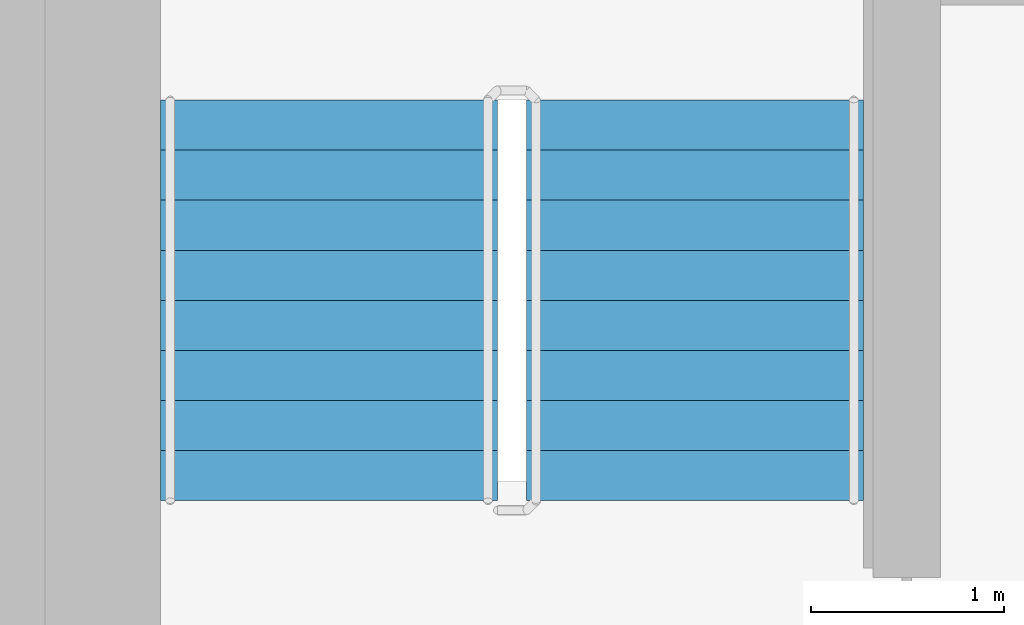
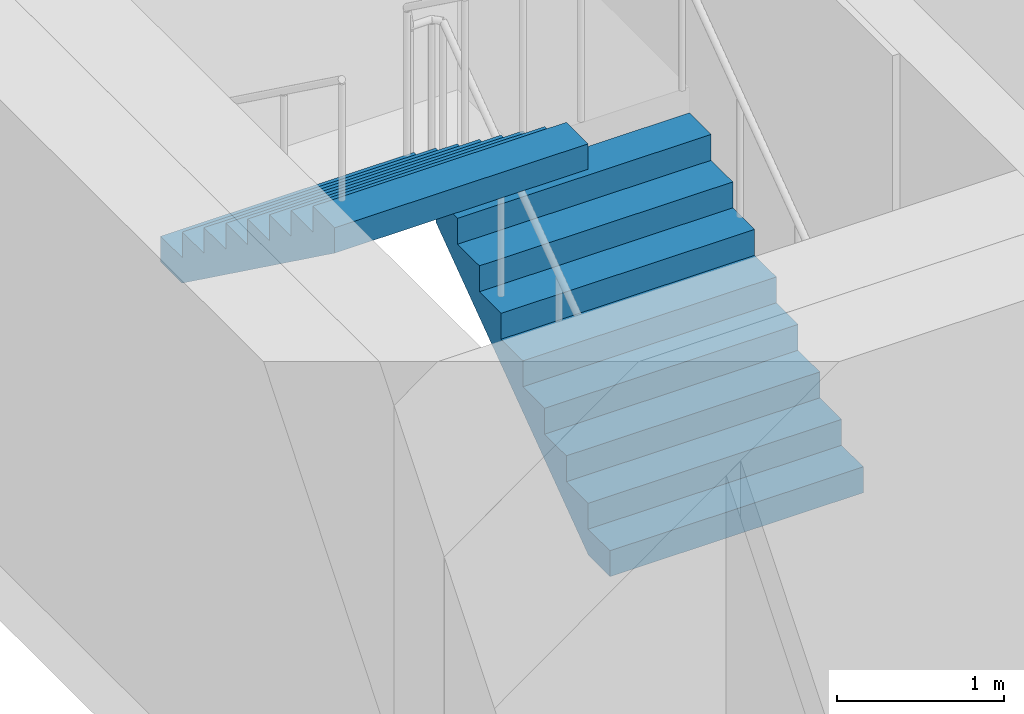
# One storey, part 16 of 19: 2 stair flights, 1 element without a shape of its own.
"""IFC4 building model written with IfcOpenShell, lengths in metres."""

import ifcopenshell
import ifcopenshell.guid

model = None  # the IFC model being written
_history = None  # IfcOwnerHistory: only IFC2X3 demands one
_inside = {}  # id of a spatial element -> (the spatial element, [elements in it])
_under = {}  # id of a project, library or spatial element -> (it, [spatial elements below it])
_declared = {}  # id of a project -> (the project, [libraries it declares])
_typed = {}  # id of a type object -> (the type object, [elements of that type])
_made_of = {}  # id of a material, layer set ... -> (it, [elements and type objects made of it])


def new_model(schema):
    """Start an empty IFC model of exactly this schema.

    Asked for "IFC4X3", IfcOpenShell would pick the latest addendum, in which some entities
    have other attributes; the version numbers below select the first issue.
    IFC2X3 requires an IfcOwnerHistory on every rooted entity: one is made here for all.
    """
    global model, _history
    if schema == "IFC4X3":
        model = ifcopenshell.file(schema_version=(4, 3, 0, 0))
    else:
        model = ifcopenshell.file(schema=schema)
    _inside.clear()
    _under.clear()
    _declared.clear()
    _typed.clear()
    _made_of.clear()
    _history = None
    if model.schema == "IFC2X3":
        org = make("IfcOrganization", Name="unknown")
        user = make(
            "IfcPersonAndOrganization",
            ThePerson=make("IfcPerson", FamilyName="unknown"),
            TheOrganization=org,
        )
        app = make(
            "IfcApplication",
            ApplicationDeveloper=org,
            Version="unknown",
            ApplicationFullName="unknown",
            ApplicationIdentifier="unknown",
        )
        _history = make(
            "IfcOwnerHistory",
            OwningUser=user,
            OwningApplication=app,
            ChangeAction="ADDED",
            CreationDate=0,
        )
    return model


def make(cls, **values):
    """One entity of the class cls with the attributes given. An attribute that is None is left unset."""
    return model.create_entity(
        cls, **{name: value for name, value in values.items() if value is not None}
    )


def rooted(cls, **values):
    """An entity with a GlobalId (a new one), such as an element, a storey or a relation."""
    return make(cls, GlobalId=ifcopenshell.guid.new(), OwnerHistory=_history, **values)


def si_unit(unit_type, name, prefix=None):
    """IfcSIUnit, for example si_unit("LENGTHUNIT", "METRE", prefix="MILLI")."""
    return make("IfcSIUnit", UnitType=unit_type, Prefix=prefix, Name=name)


def assignment(units):
    """IfcUnitAssignment: the units of a project."""
    return None if units is None else make("IfcUnitAssignment", Units=units)


def point(xyz):
    """IfcCartesianPoint."""
    return None if xyz is None else make("IfcCartesianPoint", Coordinates=xyz)


def direction(xyz):
    """IfcDirection."""
    return None if xyz is None else make("IfcDirection", DirectionRatios=xyz)


def frame(location, z_axis=None, x_axis=None):
    """IfcAxis2Placement3D, a coordinate frame: its origin and axes. An axis left out is left unset."""
    return make(
        "IfcAxis2Placement3D",
        Location=point(location),
        Axis=direction(z_axis),
        RefDirection=direction(x_axis),
    )


def origin():
    """The frame at (0, 0, 0) with its axes left unset."""
    return frame((0.0, 0.0, 0.0))


def place(relative_to, where):
    """IfcLocalPlacement: puts the frame where relative to a parent placement (None: the world)."""
    return make(
        "IfcLocalPlacement", PlacementRelTo=relative_to, RelativePlacement=where
    )


def context(
    kind, dimensions, precision=None, world=None, true_north=None, identifier=None
):
    """IfcGeometricRepresentationContext, for example the 3D "Model" context."""
    return make(
        "IfcGeometricRepresentationContext",
        ContextIdentifier=identifier,
        ContextType=kind,
        CoordinateSpaceDimension=dimensions,
        Precision=precision,
        WorldCoordinateSystem=world,
        TrueNorth=true_north,
    )


def subcontext(parent, identifier, kind, view, scale=None):
    """IfcGeometricRepresentationSubContext, for example "Body" below "Model"."""
    return make(
        "IfcGeometricRepresentationSubContext",
        ContextIdentifier=identifier,
        ContextType=kind,
        ParentContext=parent,
        TargetScale=scale,
        TargetView=view,
    )


def project(units=None, contexts=None):
    """IfcProject with its units and contexts."""
    return rooted(
        "IfcProject",
        Name="project",
        RepresentationContexts=contexts,
        UnitsInContext=assignment(units),
    )


def spatial(cls, under=None, at=None, **own):
    """A site, building, storey or space (cls), placed at a placement, below another one or the project."""
    s = rooted(cls, ObjectPlacement=at, **own)
    if under is not None:
        _under.setdefault(under.id(), (under, []))[1].append(s)
    return s


def faces_of(points, faces, orient=None, outer=None):
    """IfcFace entities. A face is a list of loops; a loop is a list of indices into points, from 0.

    orient and outer hold one flag for each loop. By default every Orientation is true, the
    first loop of a face is its IfcFaceOuterBound and the others are IfcFaceBound.
    """
    made = []
    for i, loops in enumerate(faces):
        bounds = []
        for j, loop in enumerate(loops):
            is_outer = j == 0 if outer is None else outer[i][j]
            bounds.append(
                make(
                    "IfcFaceOuterBound" if is_outer else "IfcFaceBound",
                    Bound=make("IfcPolyLoop", Polygon=[points[k] for k in loop]),
                    Orientation=True if orient is None else orient[i][j],
                )
            )
        made.append(make("IfcFace", Bounds=bounds))
    return made


def faceted_brep(points, faces, orient=None, outer=None, voids=None):
    """IfcFacetedBrep: a solid bounded by flat faces; with voids (closed shells), ...WithVoids."""
    shared = [point(p) for p in points]
    hull = make("IfcClosedShell", CfsFaces=faces_of(shared, faces, orient, outer))
    if voids is None:
        return make("IfcFacetedBrep", Outer=hull)
    return make(
        "IfcFacetedBrepWithVoids",
        Outer=hull,
        Voids=[
            make(cls, CfsFaces=faces_of(shared, fs, o, b)) for cls, fs, o, b in voids
        ],
    )


def shape(context_of_items, identifier, shape_type, items):
    """IfcShapeRepresentation: the items that make up one representation, for example the "Body"."""
    return make(
        "IfcShapeRepresentation",
        ContextOfItems=context_of_items,
        RepresentationIdentifier=identifier,
        RepresentationType=shape_type,
        Items=items,
    )


def material(Name=None, Category=None):
    """IfcMaterial."""
    return make("IfcMaterial", Name=Name, Category=Category)


def made_of(thing, what):
    """Note that an element or type object is made of a material, layer set ...; save() writes the relation."""
    if what is not None:
        _made_of.setdefault(what.id(), (what, []))[1].append(thing)
    return thing


def type_object(cls, material=None, **own):
    """A type object (cls), such as IfcWallType, which elements share."""
    return made_of(rooted(cls, **own), material)


def element(
    cls,
    number,
    at=None,
    inside=None,
    cuts=None,
    type_object=None,
    material=None,
    context=None,
    identifier="Body",
    shape_type=None,
    held_by="IfcProductDefinitionShape",
    body=None,
    shapes=None,
    **own,
):
    """One element of the class cls, such as IfcWall. Its Tag is "e" and its number.

    at: its placement. inside: the storey or other place that contains it. cuts: it is an
    opening in that element (IfcRelVoidsElement). A single representation is given by context,
    identifier, shape_type and body (its items); several are given by shapes. held_by: the class
    of the entity that holds the representations. save() writes the other relations.
    """
    e = rooted(cls, Tag="e%d" % number, ObjectPlacement=at, **own)
    if body is not None:
        shapes = [shape(context, identifier, shape_type, body)]
    if shapes is not None:
        e.Representation = make(held_by, Representations=shapes)
    if inside is not None:
        _inside.setdefault(inside.id(), (inside, []))[1].append(e)
    if cuts is not None:
        rooted(
            "IfcRelVoidsElement", RelatingBuildingElement=cuts, RelatedOpeningElement=e
        )
    if type_object is not None:
        _typed.setdefault(type_object.id(), (type_object, []))[1].append(e)
    return made_of(e, material)


def aggregate(whole, parts):
    """IfcRelAggregates: a whole, such as a stair, and the parts it consists of."""
    return rooted("IfcRelAggregates", RelatingObject=whole, RelatedObjects=parts)


def save(model, path):
    """Write the relations noted so far, then the file.

    IfcRelAggregates (storeys below a building ...), IfcRelContainedInSpatialStructure (elements
    in a storey), IfcRelDefinesByType, IfcRelAssociatesMaterial and IfcRelDeclares: one each for
    every whole, place, type object, material and project.
    """
    for whole, parts in _under.values():
        aggregate(whole, parts)
    for where, things in _inside.values():
        rooted(
            "IfcRelContainedInSpatialStructure",
            RelatedElements=things,
            RelatingStructure=where,
        )
    for kind, things in _typed.values():
        rooted("IfcRelDefinesByType", RelatedObjects=things, RelatingType=kind)
    for what, things in _made_of.values():
        rooted("IfcRelAssociatesMaterial", RelatedObjects=things, RelatingMaterial=what)
    for by, libraries in _declared.values():
        rooted("IfcRelDeclares", RelatingContext=by, RelatedDefinitions=libraries)
    model.write(path)


model = new_model("IFC4")

# Units and contexts
model_context = context("Model", 3, precision=1e-05, world=origin(), true_north=direction((0.0, 1.0)))
body_context = subcontext(model_context, "Body", "Model", "MODEL_VIEW")
ifc_project = project(units=[si_unit("LENGTHUNIT", "METRE"), si_unit("AREAUNIT", "SQUARE_METRE"), si_unit("VOLUMEUNIT", "CUBIC_METRE"), si_unit("PLANEANGLEUNIT", "RADIAN"), si_unit("MASSUNIT", "GRAM", prefix="KILO")], contexts=[model_context])

# Site, building, storey
site_placement = place(None, origin())
site = spatial("IfcSite", under=ifc_project, at=site_placement, CompositionType="ELEMENT")
building_placement = place(site_placement, origin())
building = spatial("IfcBuilding", under=site, at=building_placement, Name="Ipe Terrace Towers", CompositionType="ELEMENT")
storey_placement = place(building_placement, frame((0.0, 0.0, 189.199951171875)))
storey = spatial("IfcBuildingStorey", under=building, at=storey_placement, Name="L52", CompositionType="ELEMENT", Elevation=189.199951171875)

# Stair, stair flights
ifc_material_1 = material(Name="Concrete C30/37", Category="concrete")
stair_type = type_object("IfcStairType", Name="Protected exit stair", PredefinedType="HALF_TURN_STAIR", material=ifc_material_1)
stair_placement = place(storey_placement, origin())
stair = element("IfcStair", 1, at=stair_placement, inside=storey, type_object=stair_type, Name="L52 Exit stair T2-C1", PredefinedType="HALF_TURN_STAIR")
ifc_material_2 = material(Name="Concrete C30/37", Category="concrete")
stair_flight_type = type_object("IfcStairFlightType", Name="Exit stair flight 1750", PredefinedType="STRAIGHT", material=ifc_material_2)
stair_flight_1_placement = place(storey_placement, frame((33.22509765625, 9.699951171875, 0.0), z_axis=(0.0, 0.0, 1.0), x_axis=(0.0, 1.0, 0.0)))
stair_flight_1 = element("IfcStairFlight", 2, at=stair_flight_1_placement, type_object=stair_flight_type, Name="T2-ST1 flight 1", NumberOfRisers=9, NumberOfTreads=8, PredefinedType="STRAIGHT", RiserHeight=0.188888889, TreadLength=0.26, context=body_context, shape_type="Brep", body=[
    faceted_brep([(0.255126953125, -0.875, 0.0), (2.080078125, -0.875, 1.325927734375), (2.080078125, -0.875, 1.51123046875), (1.820068359375, -0.875, 1.51123046875), (1.820068359375, -0.875, 1.322265625), (1.56005859375, -0.875, 1.322265625), (1.56005859375, -0.875, 1.13330078125), (1.300048828125, -0.875, 1.13330078125), (1.300048828125, -0.875, 0.9443359375), (1.0400390625, -0.875, 0.9443359375), (1.0400390625, -0.875, 0.755615234375), (0.780029296875, -0.875, 0.755615234375), (0.780029296875, -0.875, 0.566650390625), (0.52001953125, -0.875, 0.566650390625), (0.52001953125, -0.875, 0.377685546875), (0.260009765625, -0.875, 0.377685546875), (0.260009765625, -0.875, 0.18896484375), (0.0, -0.875, 0.18896484375), (0.0, -0.875, 0.0), (0.0, 0.875, 0.0), (0.0, 0.875, 0.18896484375), (0.260009765625, 0.875, 0.18896484375), (0.260009765625, 0.875, 0.377685546875), (0.52001953125, 0.875, 0.377685546875), (0.52001953125, 0.875, 0.566650390625), (0.780029296875, 0.875, 0.566650390625), (0.780029296875, 0.875, 0.755615234375), (1.0400390625, 0.875, 0.755615234375), (1.0400390625, 0.875, 0.9443359375), (1.300048828125, 0.875, 0.9443359375), (1.300048828125, 0.875, 1.13330078125), (1.56005859375, 0.875, 1.13330078125), (1.56005859375, 0.875, 1.322265625), (1.820068359375, 0.875, 1.322265625), (1.820068359375, 0.875, 1.51123046875), (2.080078125, 0.875, 1.51123046875), (2.080078125, 0.875, 1.325927734375), (0.255126953125, 0.875, 0.0), (0.0, -0.300048828125, 0.18896484375), (0.0, -0.1201171875, 0.18896484375), (0.0, -0.06005859375, 0.18896484375), (0.0, -0.030029296875, 0.18896484375), (0.0, -0.010009765625, 0.18896484375), (0.0, 0.0, 0.18896484375), (0.0, 0.010009765625, 0.18896484375), (0.0, 0.030029296875, 0.18896484375), (0.0, 0.06005859375, 0.18896484375), (0.0, 0.1201171875, 0.18896484375), (0.0, 0.300048828125, 0.18896484375), (0.0, 0.300048828125, 0.0), (0.0, 0.1201171875, 0.0), (0.0, 0.06005859375, 0.0), (0.0, 0.030029296875, 0.0), (0.0, 0.010009765625, 0.0), (0.0, 0.0, 0.0), (0.0, -0.010009765625, 0.0), (0.0, -0.030029296875, 0.0), (0.0, -0.06005859375, 0.0), (0.0, -0.1201171875, 0.0), (0.0, -0.300048828125, 0.0), (0.260009765625, -0.300048828125, 0.18896484375), (0.260009765625, -0.1201171875, 0.18896484375), (0.260009765625, -0.06005859375, 0.18896484375), (0.260009765625, -0.030029296875, 0.18896484375), (0.260009765625, -0.010009765625, 0.18896484375), (0.260009765625, 0.0, 0.18896484375), (0.260009765625, 0.010009765625, 0.18896484375), (0.260009765625, 0.030029296875, 0.18896484375), (0.260009765625, 0.06005859375, 0.18896484375), (0.260009765625, 0.1201171875, 0.18896484375), (0.260009765625, 0.300048828125, 0.18896484375), (0.260009765625, -0.300048828125, 0.377685546875), (0.260009765625, -0.1201171875, 0.377685546875), (0.260009765625, -0.06005859375, 0.377685546875), (0.260009765625, -0.030029296875, 0.377685546875), (0.260009765625, -0.010009765625, 0.377685546875), (0.260009765625, 0.0, 0.377685546875), (0.260009765625, 0.010009765625, 0.377685546875), (0.260009765625, 0.030029296875, 0.377685546875), (0.260009765625, 0.06005859375, 0.377685546875), (0.260009765625, 0.1201171875, 0.377685546875), (0.260009765625, 0.300048828125, 0.377685546875), (0.52001953125, -0.300048828125, 0.377685546875), (0.52001953125, -0.1201171875, 0.377685546875), (0.52001953125, -0.06005859375, 0.377685546875), (0.52001953125, -0.030029296875, 0.377685546875), (0.52001953125, -0.010009765625, 0.377685546875), (0.52001953125, 0.0, 0.377685546875), (0.52001953125, 0.010009765625, 0.377685546875), (0.52001953125, 0.030029296875, 0.377685546875), (0.52001953125, 0.06005859375, 0.377685546875), (0.52001953125, 0.1201171875, 0.377685546875), (0.52001953125, 0.300048828125, 0.377685546875), (0.52001953125, -0.300048828125, 0.566650390625), (0.52001953125, -0.1201171875, 0.566650390625), (0.52001953125, -0.06005859375, 0.566650390625), (0.52001953125, -0.030029296875, 0.566650390625), (0.52001953125, -0.010009765625, 0.566650390625), (0.52001953125, 0.0, 0.566650390625), (0.52001953125, 0.010009765625, 0.566650390625), (0.52001953125, 0.030029296875, 0.566650390625), (0.52001953125, 0.06005859375, 0.566650390625), (0.52001953125, 0.1201171875, 0.566650390625), (0.52001953125, 0.300048828125, 0.566650390625), (0.780029296875, -0.300048828125, 0.566650390625), (0.780029296875, -0.1201171875, 0.566650390625), (0.780029296875, -0.06005859375, 0.566650390625), (0.780029296875, -0.030029296875, 0.566650390625), (0.780029296875, -0.010009765625, 0.566650390625), (0.780029296875, 0.0, 0.566650390625), (0.780029296875, 0.010009765625, 0.566650390625), (0.780029296875, 0.030029296875, 0.566650390625), (0.780029296875, 0.06005859375, 0.566650390625), (0.780029296875, 0.1201171875, 0.566650390625), (0.780029296875, 0.300048828125, 0.566650390625), (0.780029296875, -0.300048828125, 0.755615234375), (0.780029296875, -0.1201171875, 0.755615234375), (0.780029296875, -0.06005859375, 0.755615234375), (0.780029296875, -0.030029296875, 0.755615234375), (0.780029296875, -0.010009765625, 0.755615234375), (0.780029296875, 0.0, 0.755615234375), (0.780029296875, 0.010009765625, 0.755615234375), (0.780029296875, 0.030029296875, 0.755615234375), (0.780029296875, 0.06005859375, 0.755615234375), (0.780029296875, 0.1201171875, 0.755615234375), (0.780029296875, 0.300048828125, 0.755615234375), (1.0400390625, -0.300048828125, 0.755615234375), (1.0400390625, -0.1201171875, 0.755615234375), (1.0400390625, -0.06005859375, 0.755615234375), (1.0400390625, -0.030029296875, 0.755615234375), (1.0400390625, -0.010009765625, 0.755615234375), (1.0400390625, 0.0, 0.755615234375), (1.0400390625, 0.010009765625, 0.755615234375), (1.0400390625, 0.030029296875, 0.755615234375), (1.0400390625, 0.06005859375, 0.755615234375), (1.0400390625, 0.1201171875, 0.755615234375), (1.0400390625, 0.300048828125, 0.755615234375), (1.0400390625, -0.300048828125, 0.9443359375), (1.0400390625, -0.1201171875, 0.9443359375), (1.0400390625, -0.06005859375, 0.9443359375), (1.0400390625, -0.030029296875, 0.9443359375), (1.0400390625, -0.010009765625, 0.9443359375), (1.0400390625, 0.0, 0.9443359375), (1.0400390625, 0.010009765625, 0.9443359375), (1.0400390625, 0.030029296875, 0.9443359375), (1.0400390625, 0.06005859375, 0.9443359375), (1.0400390625, 0.1201171875, 0.9443359375), (1.0400390625, 0.300048828125, 0.9443359375), (1.300048828125, -0.300048828125, 0.9443359375), (1.300048828125, -0.1201171875, 0.9443359375), (1.300048828125, -0.06005859375, 0.9443359375), (1.300048828125, -0.030029296875, 0.9443359375), (1.300048828125, -0.010009765625, 0.9443359375), (1.300048828125, 0.0, 0.9443359375), (1.300048828125, 0.010009765625, 0.9443359375), (1.300048828125, 0.030029296875, 0.9443359375), (1.300048828125, 0.06005859375, 0.9443359375), (1.300048828125, 0.1201171875, 0.9443359375), (1.300048828125, 0.300048828125, 0.9443359375), (1.300048828125, -0.300048828125, 1.13330078125), (1.300048828125, -0.1201171875, 1.13330078125), (1.300048828125, -0.06005859375, 1.13330078125), (1.300048828125, -0.030029296875, 1.13330078125), (1.300048828125, -0.010009765625, 1.13330078125), (1.300048828125, 0.0, 1.13330078125), (1.300048828125, 0.010009765625, 1.13330078125), (1.300048828125, 0.030029296875, 1.13330078125), (1.300048828125, 0.06005859375, 1.13330078125), (1.300048828125, 0.1201171875, 1.13330078125), (1.300048828125, 0.300048828125, 1.13330078125), (1.56005859375, -0.300048828125, 1.13330078125), (1.56005859375, -0.1201171875, 1.13330078125), (1.56005859375, -0.06005859375, 1.13330078125), (1.56005859375, -0.030029296875, 1.13330078125), (1.56005859375, -0.010009765625, 1.13330078125), (1.56005859375, 0.0, 1.13330078125), (1.56005859375, 0.010009765625, 1.13330078125), (1.56005859375, 0.030029296875, 1.13330078125), (1.56005859375, 0.06005859375, 1.13330078125), (1.56005859375, 0.1201171875, 1.13330078125), (1.56005859375, 0.300048828125, 1.13330078125), (1.56005859375, -0.300048828125, 1.322265625), (1.56005859375, -0.1201171875, 1.322265625), (1.56005859375, -0.06005859375, 1.322265625), (1.56005859375, -0.030029296875, 1.322265625), (1.56005859375, -0.010009765625, 1.322265625), (1.56005859375, 0.0, 1.322265625), (1.56005859375, 0.010009765625, 1.322265625), (1.56005859375, 0.030029296875, 1.322265625), (1.56005859375, 0.06005859375, 1.322265625), (1.56005859375, 0.1201171875, 1.322265625), (1.56005859375, 0.300048828125, 1.322265625), (1.820068359375, -0.300048828125, 1.322265625), (1.820068359375, -0.1201171875, 1.322265625), (1.820068359375, -0.06005859375, 1.322265625), (1.820068359375, -0.030029296875, 1.322265625), (1.820068359375, -0.010009765625, 1.322265625), (1.820068359375, 0.0, 1.322265625), (1.820068359375, 0.010009765625, 1.322265625), (1.820068359375, 0.030029296875, 1.322265625), (1.820068359375, 0.06005859375, 1.322265625), (1.820068359375, 0.1201171875, 1.322265625), (1.820068359375, 0.300048828125, 1.322265625), (1.820068359375, -0.300048828125, 1.51123046875), (1.820068359375, -0.1201171875, 1.51123046875), (1.820068359375, -0.06005859375, 1.51123046875), (1.820068359375, -0.030029296875, 1.51123046875), (1.820068359375, -0.010009765625, 1.51123046875), (1.820068359375, 0.0, 1.51123046875), (1.820068359375, 0.010009765625, 1.51123046875), (1.820068359375, 0.030029296875, 1.51123046875), (1.820068359375, 0.06005859375, 1.51123046875), (1.820068359375, 0.1201171875, 1.51123046875), (1.820068359375, 0.300048828125, 1.51123046875), (2.080078125, -0.300048828125, 1.51123046875), (2.080078125, -0.1201171875, 1.51123046875), (2.080078125, -0.06005859375, 1.51123046875), (2.080078125, -0.030029296875, 1.51123046875), (2.080078125, -0.010009765625, 1.51123046875), (2.080078125, 0.0, 1.51123046875), (2.080078125, 0.010009765625, 1.51123046875), (2.080078125, 0.030029296875, 1.51123046875), (2.080078125, 0.06005859375, 1.51123046875), (2.080078125, 0.1201171875, 1.51123046875), (2.080078125, 0.300048828125, 1.51123046875), (2.080078125, -0.300048828125, 1.325927734375), (2.080078125, -0.1201171875, 1.325927734375), (2.080078125, -0.06005859375, 1.325927734375), (2.080078125, -0.030029296875, 1.325927734375), (2.080078125, -0.010009765625, 1.325927734375), (2.080078125, 0.0, 1.325927734375), (2.080078125, 0.010009765625, 1.325927734375), (2.080078125, 0.030029296875, 1.325927734375), (2.080078125, 0.06005859375, 1.325927734375), (2.080078125, 0.1201171875, 1.325927734375), (2.080078125, 0.300048828125, 1.325927734375), (0.255126953125, -0.300048828125, 0.0), (0.255126953125, -0.1201171875, 0.0), (0.255126953125, -0.06005859375, 0.0), (0.255126953125, -0.030029296875, 0.0), (0.255126953125, -0.010009765625, 0.0), (0.255126953125, 0.0, 0.0), (0.255126953125, 0.010009765625, 0.0), (0.255126953125, 0.030029296875, 0.0), (0.255126953125, 0.06005859375, 0.0), (0.255126953125, 0.1201171875, 0.0), (0.255126953125, 0.300048828125, 0.0)], [[[0, 1, 2, 3, 4, 5, 6, 7, 8, 9, 10, 11, 12, 13, 14, 15, 16, 17, 18]], [[19, 20, 21, 22, 23, 24, 25, 26, 27, 28, 29, 30, 31, 32, 33, 34, 35, 36, 37]], [[17, 38, 39, 40, 41, 42, 43, 44, 45, 46, 47, 48, 20, 19, 49, 50, 51, 52, 53, 54, 55, 56, 57, 58, 59, 18]], [[16, 60, 61, 62, 63, 64, 65, 66, 67, 68, 69, 70, 21, 20, 48, 47, 46, 45, 44, 43, 42, 41, 40, 39, 38, 17]], [[15, 71, 72, 73, 74, 75, 76, 77, 78, 79, 80, 81, 22, 21, 70, 69, 68, 67, 66, 65, 64, 63, 62, 61, 60, 16]], [[14, 82, 83, 84, 85, 86, 87, 88, 89, 90, 91, 92, 23, 22, 81, 80, 79, 78, 77, 76, 75, 74, 73, 72, 71, 15]], [[13, 93, 94, 95, 96, 97, 98, 99, 100, 101, 102, 103, 24, 23, 92, 91, 90, 89, 88, 87, 86, 85, 84, 83, 82, 14]], [[12, 104, 105, 106, 107, 108, 109, 110, 111, 112, 113, 114, 25, 24, 103, 102, 101, 100, 99, 98, 97, 96, 95, 94, 93, 13]], [[11, 115, 116, 117, 118, 119, 120, 121, 122, 123, 124, 125, 26, 25, 114, 113, 112, 111, 110, 109, 108, 107, 106, 105, 104, 12]], [[10, 126, 127, 128, 129, 130, 131, 132, 133, 134, 135, 136, 27, 26, 125, 124, 123, 122, 121, 120, 119, 118, 117, 116, 115, 11]], [[9, 137, 138, 139, 140, 141, 142, 143, 144, 145, 146, 147, 28, 27, 136, 135, 134, 133, 132, 131, 130, 129, 128, 127, 126, 10]], [[8, 148, 149, 150, 151, 152, 153, 154, 155, 156, 157, 158, 29, 28, 147, 146, 145, 144, 143, 142, 141, 140, 139, 138, 137, 9]], [[7, 159, 160, 161, 162, 163, 164, 165, 166, 167, 168, 169, 30, 29, 158, 157, 156, 155, 154, 153, 152, 151, 150, 149, 148, 8]], [[6, 170, 171, 172, 173, 174, 175, 176, 177, 178, 179, 180, 31, 30, 169, 168, 167, 166, 165, 164, 163, 162, 161, 160, 159, 7]], [[5, 181, 182, 183, 184, 185, 186, 187, 188, 189, 190, 191, 32, 31, 180, 179, 178, 177, 176, 175, 174, 173, 172, 171, 170, 6]], [[4, 192, 193, 194, 195, 196, 197, 198, 199, 200, 201, 202, 33, 32, 191, 190, 189, 188, 187, 186, 185, 184, 183, 182, 181, 5]], [[3, 203, 204, 205, 206, 207, 208, 209, 210, 211, 212, 213, 34, 33, 202, 201, 200, 199, 198, 197, 196, 195, 194, 193, 192, 4]], [[2, 214, 215, 216, 217, 218, 219, 220, 221, 222, 223, 224, 35, 34, 213, 212, 211, 210, 209, 208, 207, 206, 205, 204, 203, 3]], [[1, 225, 226, 227, 228, 229, 230, 231, 232, 233, 234, 235, 36, 35, 224, 223, 222, 221, 220, 219, 218, 217, 216, 215, 214, 2]], [[0, 236, 237, 238, 239, 240, 241, 242, 243, 244, 245, 246, 37, 36, 235, 234, 233, 232, 231, 230, 229, 228, 227, 226, 225, 1]], [[18, 59, 58, 57, 56, 55, 54, 53, 52, 51, 50, 49, 19, 37, 246, 245, 244, 243, 242, 241, 240, 239, 238, 237, 236, 0]]]),
])
stair_flight_2_placement = place(storey_placement, frame((31.324951171875, 11.780029296875, 1.699951171875), z_axis=(0.0, 0.0, 1.0), x_axis=(0.0, -1.0, 0.0)))
stair_flight_2 = element("IfcStairFlight", 3, at=stair_flight_2_placement, type_object=stair_flight_type, Name="T2-ST1 flight 2", NumberOfRisers=9, NumberOfTreads=8, PredefinedType="STRAIGHT", RiserHeight=0.188888889, TreadLength=0.26, context=body_context, shape_type="Brep", body=[
    faceted_brep([(0.255126953125, -0.875, 0.0), (2.080078125, -0.875, 1.325927734375), (2.080078125, -0.875, 1.51123046875), (1.820068359375, -0.875, 1.51123046875), (1.820068359375, -0.875, 1.322265625), (1.56005859375, -0.875, 1.322265625), (1.56005859375, -0.875, 1.13330078125), (1.300048828125, -0.875, 1.13330078125), (1.300048828125, -0.875, 0.9443359375), (1.0400390625, -0.875, 0.9443359375), (1.0400390625, -0.875, 0.755615234375), (0.780029296875, -0.875, 0.755615234375), (0.780029296875, -0.875, 0.566650390625), (0.52001953125, -0.875, 0.566650390625), (0.52001953125, -0.875, 0.377685546875), (0.260009765625, -0.875, 0.377685546875), (0.260009765625, -0.875, 0.18896484375), (0.0, -0.875, 0.18896484375), (0.0, -0.875, 0.0), (0.0, 0.875, 0.0), (0.0, 0.875, 0.18896484375), (0.260009765625, 0.875, 0.18896484375), (0.260009765625, 0.875, 0.377685546875), (0.52001953125, 0.875, 0.377685546875), (0.52001953125, 0.875, 0.566650390625), (0.780029296875, 0.875, 0.566650390625), (0.780029296875, 0.875, 0.755615234375), (1.0400390625, 0.875, 0.755615234375), (1.0400390625, 0.875, 0.9443359375), (1.300048828125, 0.875, 0.9443359375), (1.300048828125, 0.875, 1.13330078125), (1.56005859375, 0.875, 1.13330078125), (1.56005859375, 0.875, 1.322265625), (1.820068359375, 0.875, 1.322265625), (1.820068359375, 0.875, 1.51123046875), (2.080078125, 0.875, 1.51123046875), (2.080078125, 0.875, 1.325927734375), (0.255126953125, 0.875, 0.0), (0.0, -0.300048828125, 0.18896484375), (0.0, -0.1201171875, 0.18896484375), (0.0, -0.06005859375, 0.18896484375), (0.0, -0.030029296875, 0.18896484375), (0.0, -0.010009765625, 0.18896484375), (0.0, 0.0, 0.18896484375), (0.0, 0.010009765625, 0.18896484375), (0.0, 0.030029296875, 0.18896484375), (0.0, 0.06005859375, 0.18896484375), (0.0, 0.1201171875, 0.18896484375), (0.0, 0.300048828125, 0.18896484375), (0.0, 0.300048828125, 0.0), (0.0, 0.1201171875, 0.0), (0.0, 0.06005859375, 0.0), (0.0, 0.030029296875, 0.0), (0.0, 0.010009765625, 0.0), (0.0, 0.0, 0.0), (0.0, -0.010009765625, 0.0), (0.0, -0.030029296875, 0.0), (0.0, -0.06005859375, 0.0), (0.0, -0.1201171875, 0.0), (0.0, -0.300048828125, 0.0), (0.260009765625, -0.300048828125, 0.18896484375), (0.260009765625, -0.1201171875, 0.18896484375), (0.260009765625, -0.06005859375, 0.18896484375), (0.260009765625, -0.030029296875, 0.18896484375), (0.260009765625, -0.010009765625, 0.18896484375), (0.260009765625, 0.0, 0.18896484375), (0.260009765625, 0.010009765625, 0.18896484375), (0.260009765625, 0.030029296875, 0.18896484375), (0.260009765625, 0.06005859375, 0.18896484375), (0.260009765625, 0.1201171875, 0.18896484375), (0.260009765625, 0.300048828125, 0.18896484375), (0.260009765625, -0.300048828125, 0.377685546875), (0.260009765625, -0.1201171875, 0.377685546875), (0.260009765625, -0.06005859375, 0.377685546875), (0.260009765625, -0.030029296875, 0.377685546875), (0.260009765625, -0.010009765625, 0.377685546875), (0.260009765625, 0.0, 0.377685546875), (0.260009765625, 0.010009765625, 0.377685546875), (0.260009765625, 0.030029296875, 0.377685546875), (0.260009765625, 0.06005859375, 0.377685546875), (0.260009765625, 0.1201171875, 0.377685546875), (0.260009765625, 0.300048828125, 0.377685546875), (0.52001953125, -0.300048828125, 0.377685546875), (0.52001953125, -0.1201171875, 0.377685546875), (0.52001953125, -0.06005859375, 0.377685546875), (0.52001953125, -0.030029296875, 0.377685546875), (0.52001953125, -0.010009765625, 0.377685546875), (0.52001953125, 0.0, 0.377685546875), (0.52001953125, 0.010009765625, 0.377685546875), (0.52001953125, 0.030029296875, 0.377685546875), (0.52001953125, 0.06005859375, 0.377685546875), (0.52001953125, 0.1201171875, 0.377685546875), (0.52001953125, 0.300048828125, 0.377685546875), (0.52001953125, -0.300048828125, 0.566650390625), (0.52001953125, -0.1201171875, 0.566650390625), (0.52001953125, -0.06005859375, 0.566650390625), (0.52001953125, -0.030029296875, 0.566650390625), (0.52001953125, -0.010009765625, 0.566650390625), (0.52001953125, 0.0, 0.566650390625), (0.52001953125, 0.010009765625, 0.566650390625), (0.52001953125, 0.030029296875, 0.566650390625), (0.52001953125, 0.06005859375, 0.566650390625), (0.52001953125, 0.1201171875, 0.566650390625), (0.52001953125, 0.300048828125, 0.566650390625), (0.780029296875, -0.300048828125, 0.566650390625), (0.780029296875, -0.1201171875, 0.566650390625), (0.780029296875, -0.06005859375, 0.566650390625), (0.780029296875, -0.030029296875, 0.566650390625), (0.780029296875, -0.010009765625, 0.566650390625), (0.780029296875, 0.0, 0.566650390625), (0.780029296875, 0.010009765625, 0.566650390625), (0.780029296875, 0.030029296875, 0.566650390625), (0.780029296875, 0.06005859375, 0.566650390625), (0.780029296875, 0.1201171875, 0.566650390625), (0.780029296875, 0.300048828125, 0.566650390625), (0.780029296875, -0.300048828125, 0.755615234375), (0.780029296875, -0.1201171875, 0.755615234375), (0.780029296875, -0.06005859375, 0.755615234375), (0.780029296875, -0.030029296875, 0.755615234375), (0.780029296875, -0.010009765625, 0.755615234375), (0.780029296875, 0.0, 0.755615234375), (0.780029296875, 0.010009765625, 0.755615234375), (0.780029296875, 0.030029296875, 0.755615234375), (0.780029296875, 0.06005859375, 0.755615234375), (0.780029296875, 0.1201171875, 0.755615234375), (0.780029296875, 0.300048828125, 0.755615234375), (1.0400390625, -0.300048828125, 0.755615234375), (1.0400390625, -0.1201171875, 0.755615234375), (1.0400390625, -0.06005859375, 0.755615234375), (1.0400390625, -0.030029296875, 0.755615234375), (1.0400390625, -0.010009765625, 0.755615234375), (1.0400390625, 0.0, 0.755615234375), (1.0400390625, 0.010009765625, 0.755615234375), (1.0400390625, 0.030029296875, 0.755615234375), (1.0400390625, 0.06005859375, 0.755615234375), (1.0400390625, 0.1201171875, 0.755615234375), (1.0400390625, 0.300048828125, 0.755615234375), (1.0400390625, -0.300048828125, 0.9443359375), (1.0400390625, -0.1201171875, 0.9443359375), (1.0400390625, -0.06005859375, 0.9443359375), (1.0400390625, -0.030029296875, 0.9443359375), (1.0400390625, -0.010009765625, 0.9443359375), (1.0400390625, 0.0, 0.9443359375), (1.0400390625, 0.010009765625, 0.9443359375), (1.0400390625, 0.030029296875, 0.9443359375), (1.0400390625, 0.06005859375, 0.9443359375), (1.0400390625, 0.1201171875, 0.9443359375), (1.0400390625, 0.300048828125, 0.9443359375), (1.300048828125, -0.300048828125, 0.9443359375), (1.300048828125, -0.1201171875, 0.9443359375), (1.300048828125, -0.06005859375, 0.9443359375), (1.300048828125, -0.030029296875, 0.9443359375), (1.300048828125, -0.010009765625, 0.9443359375), (1.300048828125, 0.0, 0.9443359375), (1.300048828125, 0.010009765625, 0.9443359375), (1.300048828125, 0.030029296875, 0.9443359375), (1.300048828125, 0.06005859375, 0.9443359375), (1.300048828125, 0.1201171875, 0.9443359375), (1.300048828125, 0.300048828125, 0.9443359375), (1.300048828125, -0.300048828125, 1.13330078125), (1.300048828125, -0.1201171875, 1.13330078125), (1.300048828125, -0.06005859375, 1.13330078125), (1.300048828125, -0.030029296875, 1.13330078125), (1.300048828125, -0.010009765625, 1.13330078125), (1.300048828125, 0.0, 1.13330078125), (1.300048828125, 0.010009765625, 1.13330078125), (1.300048828125, 0.030029296875, 1.13330078125), (1.300048828125, 0.06005859375, 1.13330078125), (1.300048828125, 0.1201171875, 1.13330078125), (1.300048828125, 0.300048828125, 1.13330078125), (1.56005859375, -0.300048828125, 1.13330078125), (1.56005859375, -0.1201171875, 1.13330078125), (1.56005859375, -0.06005859375, 1.13330078125), (1.56005859375, -0.030029296875, 1.13330078125), (1.56005859375, -0.010009765625, 1.13330078125), (1.56005859375, 0.0, 1.13330078125), (1.56005859375, 0.010009765625, 1.13330078125), (1.56005859375, 0.030029296875, 1.13330078125), (1.56005859375, 0.06005859375, 1.13330078125), (1.56005859375, 0.1201171875, 1.13330078125), (1.56005859375, 0.300048828125, 1.13330078125), (1.56005859375, -0.300048828125, 1.322265625), (1.56005859375, -0.1201171875, 1.322265625), (1.56005859375, -0.06005859375, 1.322265625), (1.56005859375, -0.030029296875, 1.322265625), (1.56005859375, -0.010009765625, 1.322265625), (1.56005859375, 0.0, 1.322265625), (1.56005859375, 0.010009765625, 1.322265625), (1.56005859375, 0.030029296875, 1.322265625), (1.56005859375, 0.06005859375, 1.322265625), (1.56005859375, 0.1201171875, 1.322265625), (1.56005859375, 0.300048828125, 1.322265625), (1.820068359375, -0.300048828125, 1.322265625), (1.820068359375, -0.1201171875, 1.322265625), (1.820068359375, -0.06005859375, 1.322265625), (1.820068359375, -0.030029296875, 1.322265625), (1.820068359375, -0.010009765625, 1.322265625), (1.820068359375, 0.0, 1.322265625), (1.820068359375, 0.010009765625, 1.322265625), (1.820068359375, 0.030029296875, 1.322265625), (1.820068359375, 0.06005859375, 1.322265625), (1.820068359375, 0.1201171875, 1.322265625), (1.820068359375, 0.300048828125, 1.322265625), (1.820068359375, -0.300048828125, 1.51123046875), (1.820068359375, -0.1201171875, 1.51123046875), (1.820068359375, -0.06005859375, 1.51123046875), (1.820068359375, -0.030029296875, 1.51123046875), (1.820068359375, -0.010009765625, 1.51123046875), (1.820068359375, 0.0, 1.51123046875), (1.820068359375, 0.010009765625, 1.51123046875), (1.820068359375, 0.030029296875, 1.51123046875), (1.820068359375, 0.06005859375, 1.51123046875), (1.820068359375, 0.1201171875, 1.51123046875), (1.820068359375, 0.300048828125, 1.51123046875), (2.080078125, -0.300048828125, 1.51123046875), (2.080078125, -0.1201171875, 1.51123046875), (2.080078125, -0.06005859375, 1.51123046875), (2.080078125, -0.030029296875, 1.51123046875), (2.080078125, -0.010009765625, 1.51123046875), (2.080078125, 0.0, 1.51123046875), (2.080078125, 0.010009765625, 1.51123046875), (2.080078125, 0.030029296875, 1.51123046875), (2.080078125, 0.06005859375, 1.51123046875), (2.080078125, 0.1201171875, 1.51123046875), (2.080078125, 0.300048828125, 1.51123046875), (2.080078125, -0.300048828125, 1.325927734375), (2.080078125, -0.1201171875, 1.325927734375), (2.080078125, -0.06005859375, 1.325927734375), (2.080078125, -0.030029296875, 1.325927734375), (2.080078125, -0.010009765625, 1.325927734375), (2.080078125, 0.0, 1.325927734375), (2.080078125, 0.010009765625, 1.325927734375), (2.080078125, 0.030029296875, 1.325927734375), (2.080078125, 0.06005859375, 1.325927734375), (2.080078125, 0.1201171875, 1.325927734375), (2.080078125, 0.300048828125, 1.325927734375), (0.255126953125, -0.300048828125, 0.0), (0.255126953125, -0.1201171875, 0.0), (0.255126953125, -0.06005859375, 0.0), (0.255126953125, -0.030029296875, 0.0), (0.255126953125, -0.010009765625, 0.0), (0.255126953125, 0.0, 0.0), (0.255126953125, 0.010009765625, 0.0), (0.255126953125, 0.030029296875, 0.0), (0.255126953125, 0.06005859375, 0.0), (0.255126953125, 0.1201171875, 0.0), (0.255126953125, 0.300048828125, 0.0)], [[[0, 1, 2, 3, 4, 5, 6, 7, 8, 9, 10, 11, 12, 13, 14, 15, 16, 17, 18]], [[19, 20, 21, 22, 23, 24, 25, 26, 27, 28, 29, 30, 31, 32, 33, 34, 35, 36, 37]], [[17, 38, 39, 40, 41, 42, 43, 44, 45, 46, 47, 48, 20, 19, 49, 50, 51, 52, 53, 54, 55, 56, 57, 58, 59, 18]], [[16, 60, 61, 62, 63, 64, 65, 66, 67, 68, 69, 70, 21, 20, 48, 47, 46, 45, 44, 43, 42, 41, 40, 39, 38, 17]], [[15, 71, 72, 73, 74, 75, 76, 77, 78, 79, 80, 81, 22, 21, 70, 69, 68, 67, 66, 65, 64, 63, 62, 61, 60, 16]], [[14, 82, 83, 84, 85, 86, 87, 88, 89, 90, 91, 92, 23, 22, 81, 80, 79, 78, 77, 76, 75, 74, 73, 72, 71, 15]], [[13, 93, 94, 95, 96, 97, 98, 99, 100, 101, 102, 103, 24, 23, 92, 91, 90, 89, 88, 87, 86, 85, 84, 83, 82, 14]], [[12, 104, 105, 106, 107, 108, 109, 110, 111, 112, 113, 114, 25, 24, 103, 102, 101, 100, 99, 98, 97, 96, 95, 94, 93, 13]], [[11, 115, 116, 117, 118, 119, 120, 121, 122, 123, 124, 125, 26, 25, 114, 113, 112, 111, 110, 109, 108, 107, 106, 105, 104, 12]], [[10, 126, 127, 128, 129, 130, 131, 132, 133, 134, 135, 136, 27, 26, 125, 124, 123, 122, 121, 120, 119, 118, 117, 116, 115, 11]], [[9, 137, 138, 139, 140, 141, 142, 143, 144, 145, 146, 147, 28, 27, 136, 135, 134, 133, 132, 131, 130, 129, 128, 127, 126, 10]], [[8, 148, 149, 150, 151, 152, 153, 154, 155, 156, 157, 158, 29, 28, 147, 146, 145, 144, 143, 142, 141, 140, 139, 138, 137, 9]], [[7, 159, 160, 161, 162, 163, 164, 165, 166, 167, 168, 169, 30, 29, 158, 157, 156, 155, 154, 153, 152, 151, 150, 149, 148, 8]], [[6, 170, 171, 172, 173, 174, 175, 176, 177, 178, 179, 180, 31, 30, 169, 168, 167, 166, 165, 164, 163, 162, 161, 160, 159, 7]], [[5, 181, 182, 183, 184, 185, 186, 187, 188, 189, 190, 191, 32, 31, 180, 179, 178, 177, 176, 175, 174, 173, 172, 171, 170, 6]], [[4, 192, 193, 194, 195, 196, 197, 198, 199, 200, 201, 202, 33, 32, 191, 190, 189, 188, 187, 186, 185, 184, 183, 182, 181, 5]], [[3, 203, 204, 205, 206, 207, 208, 209, 210, 211, 212, 213, 34, 33, 202, 201, 200, 199, 198, 197, 196, 195, 194, 193, 192, 4]], [[2, 214, 215, 216, 217, 218, 219, 220, 221, 222, 223, 224, 35, 34, 213, 212, 211, 210, 209, 208, 207, 206, 205, 204, 203, 3]], [[1, 225, 226, 227, 228, 229, 230, 231, 232, 233, 234, 235, 36, 35, 224, 223, 222, 221, 220, 219, 218, 217, 216, 215, 214, 2]], [[0, 236, 237, 238, 239, 240, 241, 242, 243, 244, 245, 246, 37, 36, 235, 234, 233, 232, 231, 230, 229, 228, 227, 226, 225, 1]], [[18, 59, 58, 57, 56, 55, 54, 53, 52, 51, 50, 49, 19, 37, 246, 245, 244, 243, 242, 241, 240, 239, 238, 237, 236, 0]]]),
])
aggregate(stair, [stair_flight_1, stair_flight_2])

save(model, "model.ifc")
